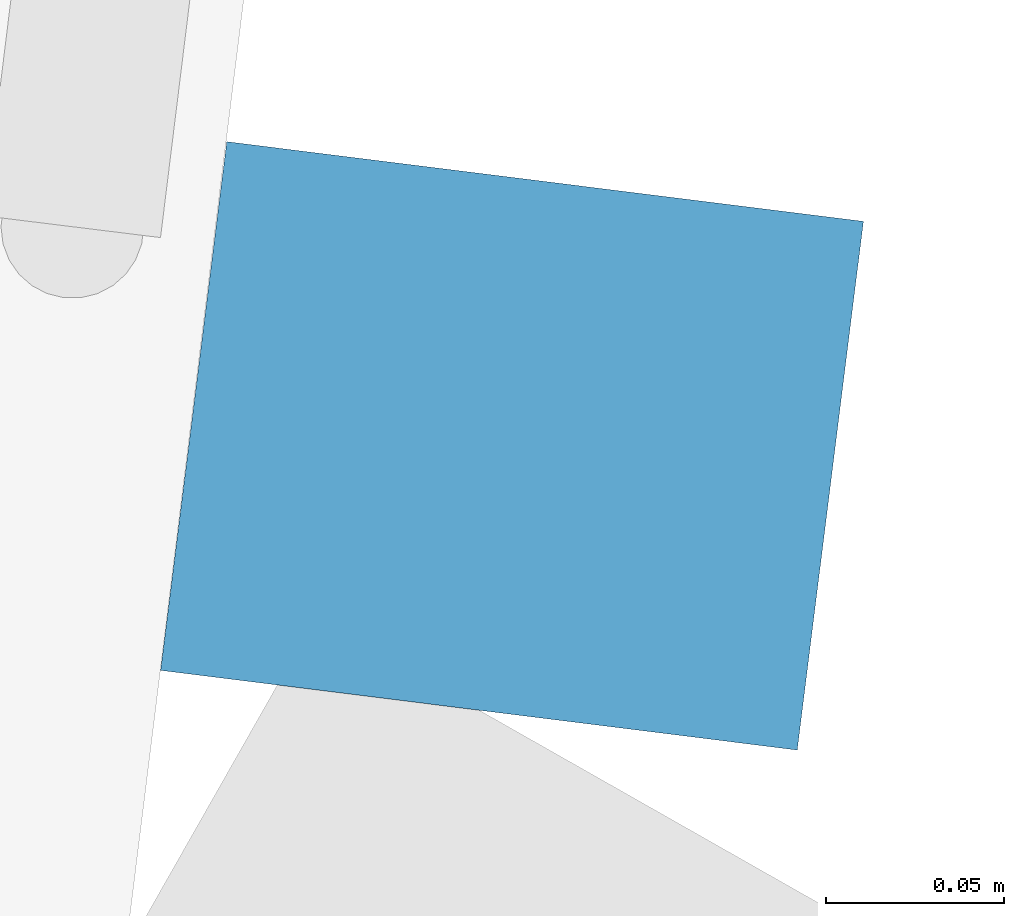
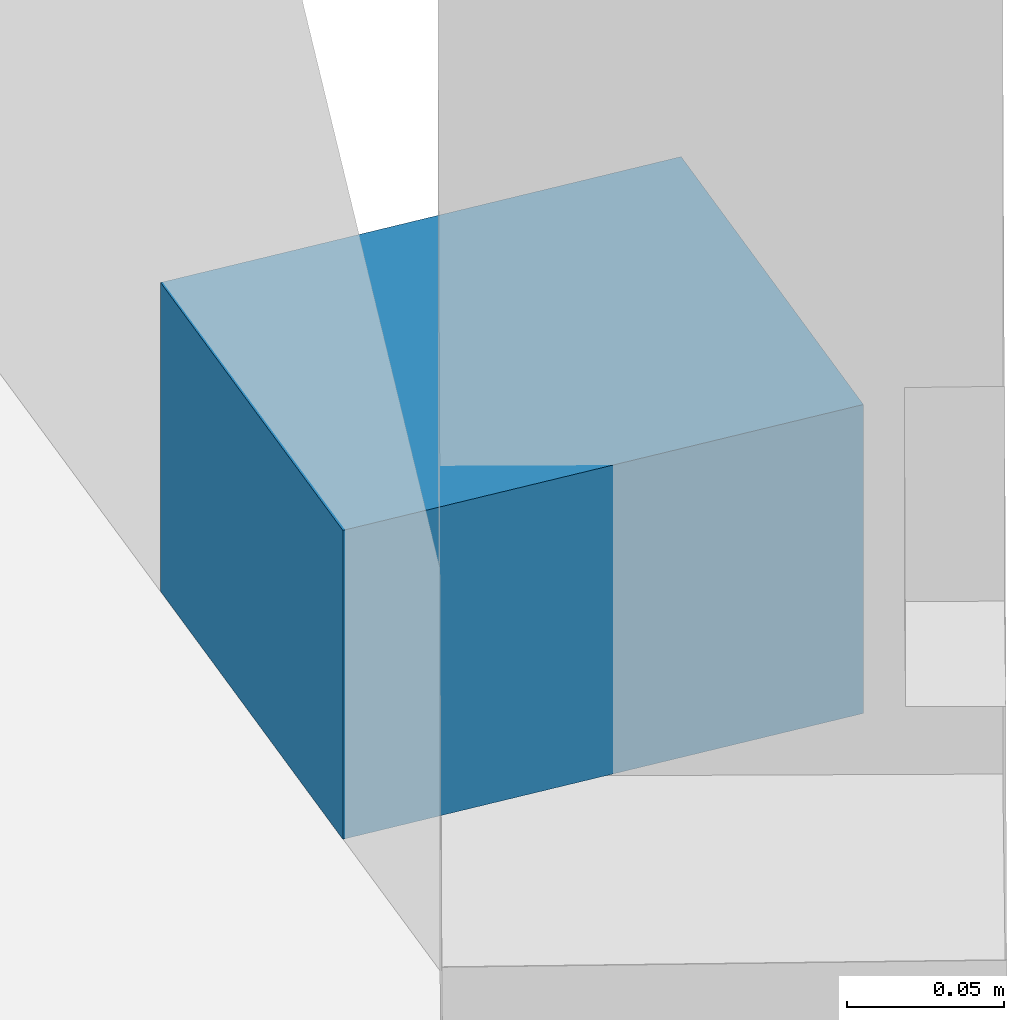
# One storey, part 13 of 24: 1 member, 1 element without a shape of its own.
"""IFC4 building model written with IfcOpenShell, lengths in metres."""

from ifc_helpers import new_model, si_unit, direction, frame, origin, origin_2d, place, context, subcontext, project, spatial, rectangle, extrude, material, material_profile, profile_set, type_object, element, aggregate, save


model = new_model("IFC4")

# Units and contexts
model_context = context("Model", 3, precision=1e-05, world=origin(), true_north=direction((0.0, 1.0)))
body_context = subcontext(model_context, "Body", "Model", "MODEL_VIEW")
ifc_project = project(units=[si_unit("LENGTHUNIT", "METRE"), si_unit("AREAUNIT", "SQUARE_METRE"), si_unit("VOLUMEUNIT", "CUBIC_METRE"), si_unit("PLANEANGLEUNIT", "RADIAN"), si_unit("MASSUNIT", "GRAM", prefix="KILO")], contexts=[model_context])

# Site, building, storey
site_placement = place(None, origin())
site = spatial("IfcSite", under=ifc_project, at=site_placement, CompositionType="ELEMENT")
building_placement = place(site_placement, origin())
building = spatial("IfcBuilding", under=site, at=building_placement, Name="Orlundy Tower", CompositionType="ELEMENT")
storey_placement = place(building_placement, frame((0.0, 0.0, 235.5)))
storey = spatial("IfcBuildingStorey", under=building, at=storey_placement, Name="L62", CompositionType="ELEMENT", Elevation=235.5)

# Curtain wall, member
ifc_material_1 = material(Name="Aluminium bronze anodised", Category="aluminium")
curtain_wall_type = type_object("IfcCurtainWallType", Name="CW1 wall", PredefinedType="NOTDEFINED", material=ifc_material_1)
curtain_wall_placement = place(storey_placement, origin())
curtain_wall = element("IfcCurtainWall", 1, at=curtain_wall_placement, inside=storey, type_object=curtain_wall_type, Name="CW1 run 03", PredefinedType="NOTDEFINED")
ifc_material_2 = material(Name="Aluminium bronze anodised", Category="aluminium")
ifc_material_profile = material_profile(ifc_material_2, rectangle(XDim=0.179931640625, YDim=0.1201171875, at=origin_2d()), Name="CW1 transom 180x120")
ifc_profile_set = profile_set([ifc_material_profile], Name="Aluminium bronze anodised")
member_type = type_object("IfcMemberType", Name="CW1 transom 180x120", PredefinedType="USERDEFINED", material=ifc_profile_set)
member_placement = place(storey_placement, frame((21.78759765625, -31.929931640625, -0.340087890625), z_axis=(-0.124235923819, -0.992252707345, 0.0), x_axis=(0.992252707345, -0.124235923819, 0.0)))
member = element("IfcMember", 2, at=member_placement, type_object=member_type, Name="CW1 transom", ObjectType="TRANSOM", PredefinedType="USERDEFINED", context=body_context, shape_type="SweptSolid", body=[
    extrude(rectangle(XDim=0.179931640625, YDim=0.1201171875, at=origin_2d()), origin(), (0.0, 0.0, 1.0), 0.1494140625),
])
aggregate(curtain_wall, [member])

save(model, "model.ifc")
